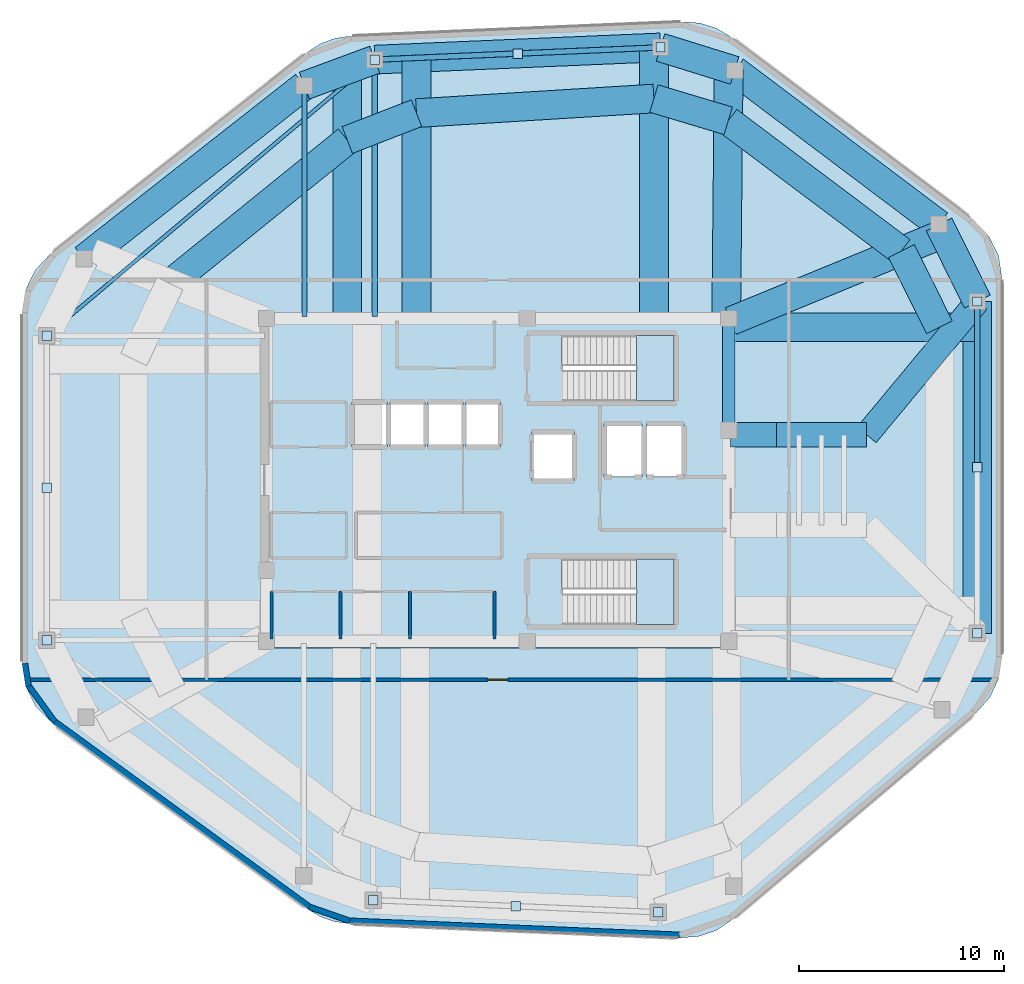
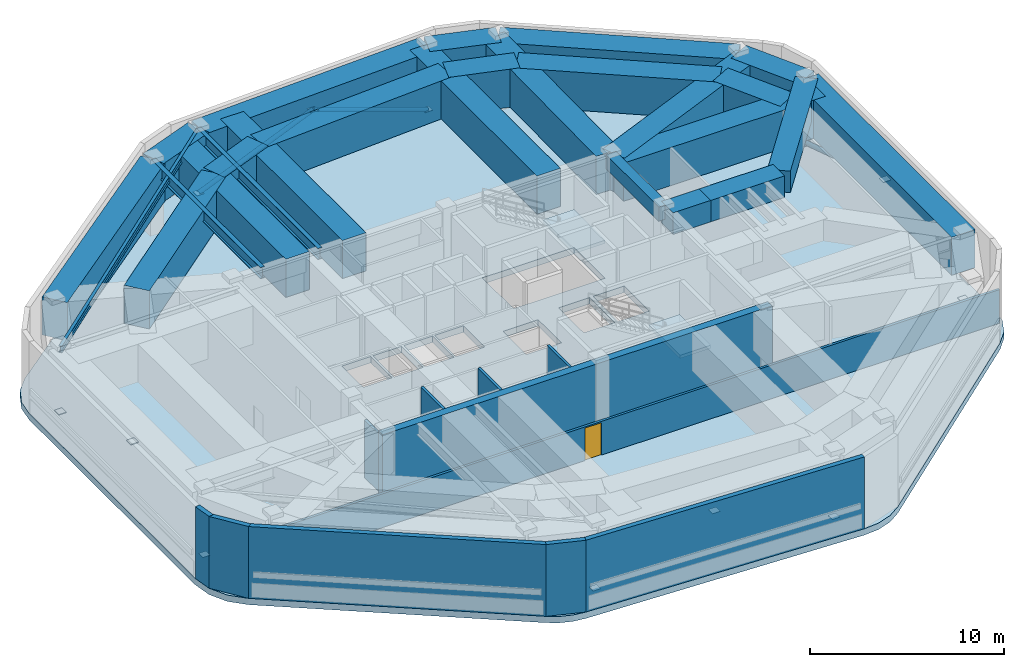
# One storey, part 2 of 7: 26 beams, 12 plates, 11 walls, 3 members, 3 slabs, 1 door, 1 opening, 2 elements without a shape of their own.
"""IFC4 building model written with IfcOpenShell, lengths in metres."""

from ifc_helpers import new_model, si_unit, direction, frame, frame_2d, origin, origin_2d, place, context, subcontext, project, spatial, polyline, rectangle, hollow_circle, i_section, outline, extrude, material, layer, layer_set, material_profile, profile_set, type_object, element, fill, aggregate, save


model = new_model("IFC4")

# Units and contexts
model_context = context("Model", 3, precision=1e-05, world=origin(), true_north=direction((0.0, 1.0)))
body_context = subcontext(model_context, "Body", "Model", "MODEL_VIEW")
ifc_project = project(units=[si_unit("LENGTHUNIT", "METRE"), si_unit("AREAUNIT", "SQUARE_METRE"), si_unit("VOLUMEUNIT", "CUBIC_METRE"), si_unit("PLANEANGLEUNIT", "RADIAN"), si_unit("MASSUNIT", "GRAM", prefix="KILO")], contexts=[model_context])

# Site, building, storey
site_placement = place(None, origin())
site = spatial("IfcSite", under=ifc_project, at=site_placement, CompositionType="ELEMENT")
building_placement = place(site_placement, origin())
building = spatial("IfcBuilding", under=site, at=building_placement, Name="Zulverin Broadcast Headquarters", CompositionType="ELEMENT")
storey_placement = place(building_placement, frame((0.0, 0.0, 308.60009765625)))
storey = spatial("IfcBuildingStorey", under=building, at=storey_placement, Name="L79", CompositionType="ELEMENT", Elevation=308.60009765625)

# Beams
ifc_material_1 = material(Name="Concrete C60/75", Category="concrete")
ifc_material_profile_1 = material_profile(ifc_material_1, rectangle(XDim=0.60009765625, YDim=0.89990234375, at=origin_2d()), Name="Concrete C60/75", Category="concrete")
ifc_profile_set_1 = profile_set([ifc_material_profile_1], Name="Concrete C60/75")
beam_type_1 = type_object("IfcBeamType", Name="BM-CB-600x900", PredefinedType="LINTEL", material=ifc_profile_set_1)
beam_1_placement = place(storey_placement, frame((48.27490234375, 27.6201171875, 4.06982421875), z_axis=(0.0, 1.0, 0.0), x_axis=(-1.0, 0.0, 0.0)))
element("IfcBeam", 1, at=beam_1_placement, inside=storey, type_object=beam_type_1, Name="L79 Core Coupling Girder K04-K05", PredefinedType="LINTEL", context=body_context, shape_type="SweptSolid", body=[
    extrude(rectangle(XDim=0.60009765625, YDim=0.89990234375, at=origin_2d()), origin(), (0.0, 0.0, 1.0), 5.454833984375),
])
ifc_material_profile_2 = material_profile(ifc_material_1, rectangle(XDim=1.39990234375, YDim=2.39990234375, at=origin_2d()), Name="Concrete C60/75", Category="concrete")
ifc_profile_set_2 = profile_set([ifc_material_profile_2], Name="Concrete C60/75")
beam_type_2 = type_object("IfcBeamType", Name="BM-TG-1400x2400", PredefinedType="USERDEFINED", material=ifc_profile_set_2)
beam_2_placement = place(storey_placement, frame((60.39990234375, 17.713623046875, 3.31982421875), z_axis=(0.0, 1.0, 0.0), x_axis=(-1.0, 0.0, 0.0)))
element("IfcBeam", 2, at=beam_2_placement, inside=storey, type_object=beam_type_2, Name="L79 Perimeter Transfer Ring Girder SP-05", ObjectType="TRANSFER GIRDER", PredefinedType="USERDEFINED", context=body_context, shape_type="SweptSolid", body=[
    extrude(rectangle(XDim=1.39990234375, YDim=2.39990234375, at=origin_2d()), origin(), (0.0, 0.0, 1.0), 16.189453125),
])
beam_3_placement = place(storey_placement, frame((60.39990234375, 33.903076171875, 3.31982421875), z_axis=(-0.446190250792, 0.894938131995, 0.0), x_axis=(-0.894938131995, -0.446190250792, 0.0)))
element("IfcBeam", 3, at=beam_3_placement, inside=storey, type_object=beam_type_2, Name="L79 Perimeter Transfer Ring Girder SP-06", ObjectType="TRANSFER GIRDER", PredefinedType="USERDEFINED", context=body_context, shape_type="SweptSolid", body=[
    extrude(rectangle(XDim=1.39990234375, YDim=2.39990234375, at=origin_2d()), origin(), (0.0, 0.0, 1.0), 4.199951171875),
])
beam_4_placement = place(storey_placement, frame((58.52587890625, 37.661865234375, 3.31982421875), z_axis=(-0.798626958847, 0.60182637081, 0.0), x_axis=(-0.60182637081, -0.798626958847, 0.0)))
element("IfcBeam", 4, at=beam_4_placement, inside=storey, type_object=beam_type_2, Name="L79 Perimeter Transfer Ring Girder SP-07", ObjectType="TRANSFER GIRDER", PredefinedType="USERDEFINED", context=body_context, shape_type="SweptSolid", body=[
    extrude(rectangle(XDim=1.39990234375, YDim=2.39990234375, at=origin_2d()), origin(), (0.0, 0.0, 1.0), 12.47998046875),
])
beam_5_placement = place(storey_placement, frame((48.55908203125, 45.172607421875, 3.31982421875), z_axis=(-0.954893359596, 0.296948938033, 0.0), x_axis=(-0.296948938033, -0.954893359596, 0.0)))
element("IfcBeam", 5, at=beam_5_placement, inside=storey, type_object=beam_type_2, Name="L79 Perimeter Transfer Ring Girder SP-08", ObjectType="TRANSFER GIRDER", PredefinedType="USERDEFINED", context=body_context, shape_type="SweptSolid", body=[
    extrude(rectangle(XDim=1.39990234375, YDim=2.39990234375, at=origin_2d()), origin(), (0.0, 0.0, 1.0), 3.78515625),
])
beam_6_placement = place(storey_placement, frame((44.944580078125, 46.296630859375, 3.31982421875), z_axis=(-0.999084926695, -0.042770424958, 0.0), x_axis=(0.042770424958, -0.999084926695, 0.0)))
element("IfcBeam", 6, at=beam_6_placement, inside=storey, type_object=beam_type_2, Name="L79 Perimeter Transfer Ring Girder SP-09", ObjectType="TRANSFER GIRDER", PredefinedType="USERDEFINED", context=body_context, shape_type="SweptSolid", body=[
    extrude(rectangle(XDim=1.39990234375, YDim=2.39990234375, at=origin_2d()), origin(), (0.0, 0.0, 1.0), 13.95068359375),
])
beam_7_placement = place(storey_placement, frame((31.006591796875, 45.699951171875, 3.31982421875), z_axis=(-0.937860540342, -0.347012401607, 0.0), x_axis=(0.347012401607, -0.937860540342, 0.0)))
element("IfcBeam", 7, at=beam_7_placement, inside=storey, type_object=beam_type_2, Name="L79 Perimeter Transfer Ring Girder SP-10", ObjectType="TRANSFER GIRDER", PredefinedType="USERDEFINED", context=body_context, shape_type="SweptSolid", body=[
    extrude(rectangle(XDim=1.39990234375, YDim=2.39990234375, at=origin_2d()), origin(), (0.0, 0.0, 1.0), 3.66064453125),
])
beam_8_placement = place(storey_placement, frame((27.573486328125, 44.4296875, 3.31982421875), z_axis=(-0.786388352061, -0.617732433779, 0.0), x_axis=(0.617732433779, -0.786388352061, 0.0)))
element("IfcBeam", 8, at=beam_8_placement, inside=storey, type_object=beam_type_2, Name="L79 Perimeter Transfer Ring Girder SP-11", ObjectType="TRANSFER GIRDER", PredefinedType="USERDEFINED", context=body_context, shape_type="SweptSolid", body=[
    extrude(rectangle(XDim=1.39990234375, YDim=2.39990234375, at=origin_2d()), origin(), (0.0, 0.0, 1.0), 13.67236328125),
])
beam_9_placement = place(storey_placement, frame((48.375, 32.648193359375, 3.31982421875), z_axis=(1.0, 0.0, 0.0), x_axis=(0.0, 1.0, 0.0)))
element("IfcBeam", 9, at=beam_9_placement, inside=storey, type_object=beam_type_2, Name="C1 Step Transfer Girder TG-06", ObjectType="TRANSFER GIRDER", PredefinedType="USERDEFINED", context=body_context, shape_type="SweptSolid", body=[
    extrude(rectangle(XDim=1.39990234375, YDim=2.39990234375, at=origin_2d()), origin(), (0.0, 0.0, 1.0), 12.02490234375),
])
beam_10_placement = place(storey_placement, frame((58.550048828125, 32.648193359375, 3.31982421875), z_axis=(-0.446767242371, 0.894650228382, 0.0), x_axis=(-0.894650228382, -0.446767242371, 0.0)))
element("IfcBeam", 10, at=beam_10_placement, inside=storey, type_object=beam_type_2, Name="C1 Step Transfer Ring Girder TGR-06", ObjectType="TRANSFER GIRDER", PredefinedType="USERDEFINED", context=body_context, shape_type="SweptSolid", body=[
    extrude(rectangle(XDim=1.39990234375, YDim=2.39990234375, at=origin_2d()), origin(), (0.0, 0.0, 1.0), 4.157470703125),
])
beam_11_placement = place(storey_placement, frame((48.375, 32.949951171875, 3.31982421875), z_axis=(0.924960934202, 0.380062192543, 0.0), x_axis=(-0.380062192543, 0.924960934202, 0.0)))
element("IfcBeam", 11, at=beam_11_placement, inside=storey, type_object=beam_type_2, Name="C1 Step Transfer Girder TG-07", ObjectType="TRANSFER GIRDER", PredefinedType="USERDEFINED", context=body_context, shape_type="SweptSolid", body=[
    extrude(rectangle(XDim=1.39990234375, YDim=2.39990234375, at=origin_2d()), origin(), (0.0, 0.0, 1.0), 11.21630859375),
])
beam_12_placement = place(storey_placement, frame((56.692626953125, 36.36767578125, 3.31982421875), z_axis=(-0.799353528712, 0.600860995684, 0.0), x_axis=(-0.600860995684, -0.799353528712, 0.0)))
element("IfcBeam", 12, at=beam_12_placement, inside=storey, type_object=beam_type_2, Name="C1 Step Transfer Ring Girder TGR-07", ObjectType="TRANSFER GIRDER", PredefinedType="USERDEFINED", context=body_context, shape_type="SweptSolid", body=[
    extrude(rectangle(XDim=1.39990234375, YDim=2.39990234375, at=origin_2d()), origin(), (0.0, 0.0, 1.0), 10.566650390625),
])
beam_13_placement = place(storey_placement, frame((48.14990234375, 33.175048828125, 3.31982421875), z_axis=(0.010058471506, 0.999949412296, 0.0), x_axis=(-0.999949412296, 0.010058471506, 0.0)))
element("IfcBeam", 13, at=beam_13_placement, inside=storey, type_object=beam_type_2, Name="C1 Step Transfer Girder TG-08", ObjectType="TRANSFER GIRDER", PredefinedType="USERDEFINED", context=body_context, shape_type="SweptSolid", body=[
    extrude(rectangle(XDim=1.39990234375, YDim=2.39990234375, at=origin_2d()), origin(), (0.0, 0.0, 1.0), 12.087646484375),
])
beam_14_placement = place(storey_placement, frame((48.24609375, 42.716796875, 3.31982421875), z_axis=(-0.957806746648, 0.287413006102, 0.0), x_axis=(-0.287413006102, -0.957806746648, 0.0)))
element("IfcBeam", 14, at=beam_14_placement, inside=storey, type_object=beam_type_2, Name="C1 Step Transfer Ring Girder TGR-08", ObjectType="TRANSFER GIRDER", PredefinedType="USERDEFINED", context=body_context, shape_type="SweptSolid", body=[
    extrude(rectangle(XDim=1.39990234375, YDim=2.39990234375, at=origin_2d()), origin(), (0.0, 0.0, 1.0), 3.783447265625),
])
beam_15_placement = place(storey_placement, frame((44.622314453125, 33.175048828125, 3.31982421875), z_axis=(0.0, 1.0, 0.0), x_axis=(-1.0, 0.0, 0.0)))
element("IfcBeam", 15, at=beam_15_placement, inside=storey, type_object=beam_type_2, Name="C1 Step Transfer Girder TG-09", ObjectType="TRANSFER GIRDER", PredefinedType="USERDEFINED", context=body_context, shape_type="SweptSolid", body=[
    extrude(rectangle(XDim=1.39990234375, YDim=2.39990234375, at=origin_2d()), origin(), (0.0, 0.0, 1.0), 13.10791015625),
])
beam_16_placement = place(storey_placement, frame((44.622314453125, 43.80419921875, 3.31982421875), z_axis=(-0.998101715352, -0.061587058792, 0.0), x_axis=(0.061587058792, -0.998101715352, 0.0)))
element("IfcBeam", 16, at=beam_16_placement, inside=storey, type_object=beam_type_2, Name="C1 Step Transfer Ring Girder TGR-09", ObjectType="TRANSFER GIRDER", PredefinedType="USERDEFINED", context=body_context, shape_type="SweptSolid", body=[
    extrude(rectangle(XDim=1.39990234375, YDim=2.39990234375, at=origin_2d()), origin(), (0.0, 0.0, 1.0), 11.60302734375),
])
beam_17_placement = place(storey_placement, frame((33.041259765625, 33.175048828125, 3.31982421875), z_axis=(0.0, 1.0, 0.0), x_axis=(-1.0, 0.0, 0.0)))
element("IfcBeam", 17, at=beam_17_placement, inside=storey, type_object=beam_type_2, Name="C1 Step Transfer Girder TG-10", ObjectType="TRANSFER GIRDER", PredefinedType="USERDEFINED", context=body_context, shape_type="SweptSolid", body=[
    extrude(rectangle(XDim=1.39990234375, YDim=2.39990234375, at=origin_2d()), origin(), (0.0, 0.0, 1.0), 12.612060546875),
])
beam_18_placement = place(storey_placement, frame((33.041259765625, 43.089599609375, 3.31982421875), z_axis=(-0.931976838329, -0.362517824138, 0.0), x_axis=(0.362517824138, -0.931976838329, 0.0)))
element("IfcBeam", 18, at=beam_18_placement, inside=storey, type_object=beam_type_2, Name="C1 Step Transfer Ring Girder TGR-10", ObjectType="TRANSFER GIRDER", PredefinedType="USERDEFINED", context=body_context, shape_type="SweptSolid", body=[
    extrude(rectangle(XDim=1.39990234375, YDim=2.39990234375, at=origin_2d()), origin(), (0.0, 0.0, 1.0), 3.621826171875),
])
beam_19_placement = place(storey_placement, frame((29.665771484375, 33.175048828125, 3.31982421875), z_axis=(0.0, 1.0, 0.0), x_axis=(-1.0, 0.0, 0.0)))
element("IfcBeam", 19, at=beam_19_placement, inside=storey, type_object=beam_type_2, Name="C1 Step Transfer Girder TG-11", ObjectType="TRANSFER GIRDER", PredefinedType="USERDEFINED", context=body_context, shape_type="SweptSolid", body=[
    extrude(rectangle(XDim=1.39990234375, YDim=2.39990234375, at=origin_2d()), origin(), (0.0, 0.0, 1.0), 12.02880859375),
])
beam_20_placement = place(storey_placement, frame((29.665771484375, 41.776611328125, 3.31982421875), z_axis=(-0.777322523018, -0.62910229312, 0.0), x_axis=(0.62910229312, -0.777322523018, 0.0)))
element("IfcBeam", 20, at=beam_20_placement, inside=storey, type_object=beam_type_2, Name="C1 Step Transfer Ring Girder TGR-11", ObjectType="TRANSFER GIRDER", PredefinedType="USERDEFINED", context=body_context, shape_type="SweptSolid", body=[
    extrude(rectangle(XDim=1.39990234375, YDim=2.39990234375, at=origin_2d()), origin(), (0.0, 0.0, 1.0), 11.128173828125),
])
ifc_material_2 = material(Name="Concrete C50/60", Category="concrete")
ifc_material_profile_3 = material_profile(ifc_material_2, rectangle(XDim=1.199951171875, YDim=1.35009765625, at=origin_2d()), Name="Concrete C50/60", Category="concrete")
ifc_profile_set_3 = profile_set([ifc_material_profile_3], Name="Concrete C50/60")
beam_type_3 = type_object("IfcBeamType", Name="BM-TG-CRN-1350", PredefinedType="USERDEFINED", material=ifc_profile_set_3)
beam_21_placement = place(storey_placement, frame((48.35009765625, 27.39990234375, 3.844970703125), z_axis=(1.0, 0.0, 0.0), x_axis=(0.0, 1.0, 0.0)))
element("IfcBeam", 21, at=beam_21_placement, inside=storey, type_object=beam_type_3, Name="C1 Damper Base Transfer Girder In 2", ObjectType="TRANSFER GIRDER", PredefinedType="USERDEFINED", context=body_context, shape_type="SweptSolid", body=[
    extrude(rectangle(XDim=1.199951171875, YDim=1.35009765625, at=origin_2d()), origin(), (0.0, 0.0, 1.0), 2.25),
])
beam_22_placement = place(storey_placement, frame((50.60009765625, 27.39990234375, 3.844970703125), z_axis=(1.0, 0.0, 0.0), x_axis=(0.0, 1.0, 0.0)))
element("IfcBeam", 22, at=beam_22_placement, inside=storey, type_object=beam_type_3, Name="C1 Damper Base Transfer Girder Mid 2", ObjectType="TRANSFER GIRDER", PredefinedType="USERDEFINED", context=body_context, shape_type="SweptSolid", body=[
    extrude(rectangle(XDim=1.199951171875, YDim=1.35009765625, at=origin_2d()), origin(), (0.0, 0.0, 1.0), 4.39990234375),
])
beam_23_placement = place(storey_placement, frame((55.0, 27.39990234375, 3.844970703125), z_axis=(0.638828282664, 0.7693493519, 0.0), x_axis=(-0.7693493519, 0.638828282664, 0.0)))
element("IfcBeam", 23, at=beam_23_placement, inside=storey, type_object=beam_type_3, Name="C1 Damper Base Transfer Girder Out 2", ObjectType="TRANSFER GIRDER", PredefinedType="USERDEFINED", context=body_context, shape_type="SweptSolid", body=[
    extrude(rectangle(XDim=1.199951171875, YDim=1.35009765625, at=origin_2d()), origin(), (0.0, 0.0, 1.0), 8.452880859375),
])
ifc_material_3 = material(Name="Structural steel S355JR", Category="steel")
ifc_material_profile_4 = material_profile(ifc_material_3, i_section(OverallWidth=0.179443359375, OverallDepth=0.412841796875, WebThickness=0.009521484375, FlangeThickness=0.01611328125, at=origin_2d()), Name="Structural steel S355JR", Category="steel")
ifc_profile_set_4 = profile_set([ifc_material_profile_4], Name="Structural steel S355JR")
beam_type_4 = type_object("IfcBeamType", Name="BM-UB-406", PredefinedType="JOIST", material=ifc_profile_set_4)
beam_24_placement = place(storey_placement, frame((31.006591796875, 45.699951171875, 4.3134765625), z_axis=(-0.765273089862, -0.643705754156, 0.0), x_axis=(0.643705754156, -0.765273089862, 0.0)))
element("IfcBeam", 24, at=beam_24_placement, inside=storey, type_object=beam_type_4, Name="L79 Chordal Floor Joist J-03", PredefinedType="JOIST", context=body_context, shape_type="SweptSolid", body=[
    extrude(i_section(OverallWidth=0.179443359375, OverallDepth=0.412841796875, WebThickness=0.009521484375, FlangeThickness=0.01611328125, at=origin_2d()), origin(), (0.0, 0.0, 1.0), 20.916259765625),
])
ifc_material_profile_5 = material_profile(ifc_material_3, i_section(OverallWidth=0.255859375, OverallDepth=0.69287109375, WebThickness=0.014404296875, FlangeThickness=0.023681640625, at=origin_2d()), Name="Structural steel S355JR", Category="steel")
ifc_profile_set_5 = profile_set([ifc_material_profile_5], Name="Structural steel S355JR")
beam_type_5 = type_object("IfcBeamType", Name="BM-UB-686", PredefinedType="BEAM", material=ifc_profile_set_5)
beam_25_placement = place(storey_placement, frame((31.006591796875, 33.175048828125, 4.173583984375), z_axis=(0.0, 1.0, 0.0), x_axis=(-1.0, 0.0, 0.0)))
element("IfcBeam", 25, at=beam_25_placement, inside=storey, type_object=beam_type_5, Name="L79 Radial Primary Floor Beam RB-10", PredefinedType="BEAM", context=body_context, shape_type="SweptSolid", body=[
    extrude(i_section(OverallWidth=0.255859375, OverallDepth=0.69287109375, WebThickness=0.014404296875, FlangeThickness=0.023681640625, at=origin_2d()), origin(), (0.0, 0.0, 1.0), 12.52490234375),
])
beam_26_placement = place(storey_placement, frame((27.573486328125, 33.175048828125, 4.173583984375), z_axis=(0.0, 1.0, 0.0), x_axis=(-1.0, 0.0, 0.0)))
element("IfcBeam", 26, at=beam_26_placement, inside=storey, type_object=beam_type_5, Name="L79 Radial Primary Floor Beam RB-11", PredefinedType="BEAM", context=body_context, shape_type="SweptSolid", body=[
    extrude(i_section(OverallWidth=0.255859375, OverallDepth=0.69287109375, WebThickness=0.014404296875, FlangeThickness=0.023681640625, at=origin_2d()), origin(), (0.0, 0.0, 1.0), 11.254638671875),
])

# Members
ifc_material_profile_6 = material_profile(ifc_material_3, hollow_circle(Radius=0.136474609375, WallThickness=0.012451171875, at=origin_2d()), Name="Structural steel S355JR", Category="steel")
ifc_profile_set_6 = profile_set([ifc_material_profile_6], Name="Structural steel S355JR")
member_type = type_object("IfcMemberType", Name="MBR-CRN-BRACE", PredefinedType="BRACE", material=ifc_profile_set_6)
member_placement = place(storey_placement, frame((60.39990234375, 33.903076171875, 0.39990234375), z_axis=(0.0, -0.951401995461, 0.307951689446), x_axis=(1.0, 0.0, 0.0)))
element("IfcMember", 27, at=member_placement, inside=storey, type_object=member_type, Name="L79 Crown Belt Brace CB-2B", PredefinedType="BRACE", context=body_context, shape_type="SweptSolid", body=[
    extrude(hollow_circle(Radius=0.136474609375, WallThickness=0.012451171875, at=origin_2d()), origin(), (0.0, 0.0, 1.0), 8.50830078125),
])
for number, where, z_axis, x_axis, name in (
    (28, (44.944580078125, 46.296630859375, 0.39990234375), (-0.935280436874, -0.040038980342, 0.351635300352), (0.042770424958, -0.999084926695, 0.0), "L79 Crown Belt Brace CB-3A"),
    (29, (31.006591796875, 45.699951171875, 0.39990234375), (0.935280436874, 0.040038980342, 0.351635300352), (-0.042770424958, 0.999084926695, 0.0), "L79 Crown Belt Brace CB-3B"),
):
    element("IfcMember", number, at=place(storey_placement, frame(where, z_axis=z_axis, x_axis=x_axis)), inside=storey, type_object=member_type, Name=name, PredefinedType="BRACE", context=body_context, shape_type="SweptSolid", body=[
        extrude(hollow_circle(Radius=0.136474609375, WallThickness=0.012451171875, at=origin_2d()), origin(), (0.0, 0.0, 1.0), 7.451171875),
    ])

# Plates
ifc_layer_1 = layer(ifc_material_3, 0.034912109375, Name="Structural steel S355JR", Category="steel")
ifc_layer_set_1 = layer_set([ifc_layer_1], Name="Structural steel S355JR")
plate_type = type_object("IfcPlateType", Name="PLT-NODE-BN2", PredefinedType="SHEET", material=ifc_layer_set_1)
for number, where, z_axis, x_axis, name in (
    (30, (30.93359375, 4.703125, 0.38232421875), (0.0, 0.0, 1.0), (1.0, 0.0, 0.0), "BN-2 Crown Belt Node Plate 1L"),
    (31, (37.880126953125, 4.40576171875, 3.00244140625), (0.0, 0.0, 1.0), (1.0, 0.0, 0.0), "BN-2 Crown Belt Node Plate 1M"),
    (32, (44.826904296875, 4.1083984375, 0.38232421875), (0.0, 0.0, 1.0), (1.0, 0.0, 0.0), "BN-2 Crown Belt Node Plate 1R"),
    (33, (60.39990234375, 17.713623046875, 0.38232421875), (0.0, 0.0, 1.0), (1.0, 0.0, 0.0), "BN-2 Crown Belt Node Plate 2L"),
    (34, (60.39990234375, 25.808349609375, 3.00244140625), (0.0, 0.0, 1.0), (1.0, 0.0, 0.0), "BN-2 Crown Belt Node Plate 2M"),
    (35, (60.39990234375, 33.903076171875, 0.38232421875), (0.0, 0.0, 1.0), (1.0, 0.0, 0.0), "BN-2 Crown Belt Node Plate 2R"),
    (36, (44.944580078125, 46.296630859375, 0.38232421875), (0.0, 0.0, 1.0), (1.0, 0.0, 0.0), "BN-2 Crown Belt Node Plate 3L"),
    (37, (37.9755859375, 45.998291015625, 3.00244140625), (0.0, 0.0, 1.0), (1.0, 0.0, 0.0), "BN-2 Crown Belt Node Plate 3M"),
    (38, (31.006591796875, 45.699951171875, 0.38232421875), (0.0, 0.0, 1.0), (1.0, 0.0, 0.0), "BN-2 Crown Belt Node Plate 3R"),
    (39, (15.0, 32.236083984375, 0.38232421875), (0.0, 0.0, 1.0), (1.0, 0.0, 0.0), "BN-2 Crown Belt Node Plate 4L"),
    (40, (15.0, 24.8095703125, 3.00244140625), (0.0, 0.0, 1.0), (1.0, 0.0, 0.0), "BN-2 Crown Belt Node Plate 4M"),
    (41, (15.0, 17.383056640625, 0.38232421875), (0.0, 0.0, 1.0), (1.0, 0.0, 0.0), "BN-2 Crown Belt Node Plate 4R"),
):
    element("IfcPlate", number, at=place(storey_placement, frame(where, z_axis=z_axis, x_axis=x_axis)), inside=storey, type_object=plate_type, Name=name, PredefinedType="SHEET", context=body_context, shape_type="SweptSolid", body=[
        extrude(rectangle(XDim=0.4599609375, YDim=0.4599609375, at=origin_2d()), origin(), (0.0, 0.0, 1.0), 0.034912109375),
    ])

# Stair, slab
ifc_material_4 = material(Name="Concrete C40/50", Category="concrete")
stair_type = type_object("IfcStairType", Name="ST-CORE-1500", PredefinedType="HALF_TURN_STAIR", material=ifc_material_4)
stair_1_placement = place(storey_placement, origin())
stair_1 = element("IfcStair", 42, at=stair_1_placement, inside=storey, type_object=stair_type, Name="L79 Core Exit Stair ST-1", PredefinedType="HALF_TURN_STAIR")
ifc_layer_2 = layer(ifc_material_4, 0.199951171875, Name="Concrete C40/50", Category="concrete")
ifc_layer_set_2 = layer_set([ifc_layer_2], Name="Concrete C40/50")
slab_type_1 = type_object("IfcSlabType", Name="SLB-ST-LND200", PredefinedType="LANDING", material=ifc_layer_set_2)
slab_1_placement = place(storey_placement, frame((0.0, 0.0, 2.199951171875)))
slab_1 = element("IfcSlab", 43, at=slab_1_placement, type_object=slab_type_1, Name="ST-1 landing 1", PredefinedType="LANDING", context=body_context, shape_type="SweptSolid", body=[
    extrude(outline(polyline([(43.77001953125, 29.050048828125), (45.60009765625, 29.050048828125), (45.60009765625, 32.25), (43.77001953125, 32.25), (43.77001953125, 29.050048828125)])), origin(), (0.0, 0.0, 1.0), 0.199951171875),
])
aggregate(stair_1, [slab_1])

stair_2_placement = place(storey_placement, origin())
stair_2 = element("IfcStair", 44, at=stair_2_placement, inside=storey, type_object=stair_type, Name="L79 Core Exit Stair ST-2", PredefinedType="HALF_TURN_STAIR")
slab_2_placement = place(storey_placement, frame((0.0, 0.0, 2.199951171875)))
slab_2 = element("IfcSlab", 45, at=slab_2_placement, type_object=slab_type_1, Name="ST-2 landing 1", PredefinedType="LANDING", context=body_context, shape_type="SweptSolid", body=[
    extrude(outline(polyline([(43.77001953125, 18.14990234375), (45.60009765625, 18.14990234375), (45.60009765625, 21.35009765625), (43.77001953125, 21.35009765625), (43.77001953125, 18.14990234375)])), origin(), (0.0, 0.0, 1.0), 0.199951171875),
])
aggregate(stair_2, [slab_2])

# Slab
ifc_layer_3 = layer(ifc_material_2, 0.39990234375, Name="Concrete C50/60", Category="concrete")
ifc_layer_set_3 = layer_set([ifc_layer_3], Name="Concrete C50/60")
slab_type_2 = type_object("IfcSlabType", Name="SLB-TRN-400", PredefinedType="FLOOR", material=ifc_layer_set_3)
slab_3_placement = place(storey_placement, frame((0.0, 0.0, -0.400146484375)))
element("IfcSlab", 46, at=slab_3_placement, inside=storey, type_object=slab_type_2, Name="L79 Main Structural Floor Slab", PredefinedType="FLOOR", context=body_context, shape_type="SweptSolid", body=[
    extrude(outline(polyline([(27.76953125, 4.239013671875), (28.375, 3.88330078125), (29.0380859375, 3.65185546875), (29.733154296875, 3.553466796875), (45.924560546875, 2.8603515625), (46.814453125, 2.93310546875), (47.6591796875, 3.222412109375), (48.406494140625, 3.7109375), (60.327880859375, 13.817626953125), (61.014404296875, 14.595703125), (61.450439453125, 15.537109375), (61.60009765625, 16.563720703125), (61.60009765625, 35.052978515625), (61.43017578125, 36.1455078125), (60.93701171875, 37.135009765625), (60.16650390625, 37.92822265625), (48.36279296875, 46.822998046875), (47.652099609375, 47.24072265625), (46.86474609375, 47.485595703125), (46.042236328125, 47.544921875), (29.80615234375, 46.849609375), (29.06787109375, 46.740478515625), (28.367919921875, 46.481689453125), (27.736328125, 46.083740234375), (15.176025390625, 36.217041015625), (14.435546875, 35.428466796875), (13.96240234375, 34.45556640625), (13.800048828125, 33.385986328125), (13.800048828125, 16.233154296875), (13.97607421875, 15.12109375), (14.48681640625, 14.1181640625), (15.282470703125, 13.32177734375), (27.76953125, 4.239013671875)]), holes=[polyline([(40.155029296875, 30.75), (40.130126953125, 30.75), (40.130126953125, 32.25), (45.60009765625, 32.25), (45.60009765625, 29.050048828125), (40.155029296875, 29.050048828125), (40.155029296875, 30.75)]), polyline([(40.155029296875, 19.85009765625), (40.130126953125, 19.85009765625), (40.130126953125, 21.35009765625), (45.60009765625, 21.35009765625), (45.60009765625, 18.14990234375), (40.155029296875, 18.14990234375), (40.155029296875, 19.85009765625)]), polyline([(29.89990234375, 26.800048828125), (31.6201171875, 26.800048828125), (31.6201171875, 29.0), (29.89990234375, 29.0), (29.89990234375, 26.800048828125)]), polyline([(31.739990234375, 26.800048828125), (33.4599609375, 26.800048828125), (33.4599609375, 29.0), (31.739990234375, 29.0), (31.739990234375, 26.800048828125)]), polyline([(33.580078125, 26.800048828125), (35.300048828125, 26.800048828125), (35.300048828125, 29.0), (33.580078125, 29.0), (33.580078125, 26.800048828125)]), polyline([(35.419921875, 26.800048828125), (37.139892578125, 26.800048828125), (37.139892578125, 29.0), (35.419921875, 29.0), (35.419921875, 26.800048828125)]), polyline([(42.199951171875, 25.35009765625), (44.050048828125, 25.35009765625), (44.050048828125, 27.949951171875), (42.199951171875, 27.949951171875), (42.199951171875, 25.35009765625)]), polyline([(44.25, 25.35009765625), (46.10009765625, 25.35009765625), (46.10009765625, 27.949951171875), (44.25, 27.949951171875), (44.25, 25.35009765625)]), polyline([(38.64990234375, 25.14990234375), (40.75, 25.14990234375), (40.75, 27.550048828125), (38.64990234375, 27.550048828125), (38.64990234375, 25.14990234375)])]), origin(), (0.0, 0.0, 1.0), 0.400146484375),
])

# Walls
ifc_layer_4 = layer(ifc_material_2, 0.449951171875, Name="Concrete C50/60", Category="concrete")
ifc_layer_set_4 = layer_set([ifc_layer_4], Name="Concrete C50/60")
wall_type_1 = type_object("IfcWallType", Name="WL-CORE-450", PredefinedType="SHEAR", material=ifc_layer_set_4)
wall_1_placement = place(storey_placement, frame((25.39990234375, 17.22509765625, 0.0), z_axis=(0.0, 0.0, 1.0), x_axis=(1.0, 0.0, 0.0)))
element("IfcWall", 47, at=wall_1_placement, inside=storey, type_object=wall_type_1, Name="L79 Core South Shear Wall", PredefinedType="SHEAR", context=body_context, shape_type="SweptSolid", body=[
    extrude(rectangle(XDim=23.2001953125, YDim=0.449951171875, at=frame_2d((11.60009765625, 0.0))), origin(), (0.0, 0.0, 1.0), 4.52001953125),
])
ifc_material_5 = material(Name="Insulated pale-metal clad concrete spandrel C40/50", Category="concrete")
ifc_layer_5 = layer(ifc_material_5, 0.280029296875, Name="Insulated pale-metal clad concrete spandrel C40/50", Category="concrete")
ifc_layer_set_5 = layer_set([ifc_layer_5], Name="Insulated pale-metal clad concrete spandrel C40/50")
wall_type_2 = type_object("IfcWallType", Name="WL-EXT-280", PredefinedType="STANDARD", material=ifc_layer_set_5)
wall_2_placement = place(storey_placement, frame((29.7392578125, 3.693359375, 0.0), z_axis=(0.0, 0.0, 1.0), x_axis=(0.99908501205, -0.04276843108, 0.0)))
element("IfcWall", 48, at=wall_2_placement, inside=storey, type_object=wall_type_2, Name="L79 Pale-Metal Clad Spandrel Wall 1", PredefinedType="STANDARD", context=body_context, shape_type="SweptSolid", body=[
    extrude(rectangle(XDim=16.206298828125, YDim=0.280029296875, at=frame_2d((8.10302734375, 0.0))), origin(), (0.0, 0.0, 1.0), 4.52001953125),
])
wall_3_placement = place(storey_placement, frame((15.36474609375, 13.434814453125, 0.0), z_axis=(0.0, 0.0, 1.0), x_axis=(0.8087025807, -0.588217762372, 0.0)))
element("IfcWall", 49, at=wall_3_placement, inside=storey, type_object=wall_type_2, Name="L79 Pale-Metal Clad Spandrel Wall 8", PredefinedType="STANDARD", context=body_context, shape_type="SweptSolid", body=[
    extrude(rectangle(XDim=15.441162109375, YDim=0.280029296875, at=frame_2d((7.720703125, 0.0))), origin(), (0.0, 0.0, 1.0), 4.52001953125),
])
wall_4_placement = place(storey_placement, frame((13.938232421875, 16.2548828125, 0.0), z_axis=(0.0, 0.0, 1.0), x_axis=(0.156374642871, -0.987697813639, 0.0)))
element("IfcWall", 50, at=wall_4_placement, inside=storey, type_object=wall_type_2, Name="L79 Wind-Shaped Corner Spandrel Wall 7-1", PredefinedType="STANDARD", context=body_context, shape_type="SweptSolid", body=[
    extrude(rectangle(XDim=1.125732421875, YDim=0.280029296875, at=frame_2d((0.56298828125, 0.0))), origin(), (0.0, 0.0, 1.0), 4.52001953125),
])
wall_5_placement = place(storey_placement, frame((14.08935546875, 15.203369140625, 0.0), z_axis=(0.0, 0.0, 1.0), x_axis=(0.587472992332, -0.809243772469, 0.0)))
element("IfcWall", 51, at=wall_5_placement, inside=storey, type_object=wall_type_2, Name="L79 Wind-Shaped Corner Spandrel Wall 7-2", PredefinedType="STANDARD", context=body_context, shape_type="SweptSolid", body=[
    extrude(rectangle(XDim=2.223876953125, YDim=0.280029296875, at=frame_2d((1.11181640625, 0.0))), origin(), (0.0, 0.0, 1.0), 4.52001953125),
])
wall_6_placement = place(storey_placement, frame((27.815673828125, 4.37109375, 0.0), z_axis=(0.0, 0.0, 1.0), x_axis=(0.944152627724, -0.329508445359, 0.0)))
element("IfcWall", 52, at=wall_6_placement, inside=storey, type_object=wall_type_2, Name="L79 Wind-Shaped Corner Spandrel Wall 8-1", PredefinedType="STANDARD", context=body_context, shape_type="SweptSolid", body=[
    extrude(rectangle(XDim=2.079833984375, YDim=0.280029296875, at=frame_2d((1.0400390625, 0.0))), origin(), (0.0, 0.0, 1.0), 4.52001953125),
])
ifc_material_6 = material(Name="Fire-rated gypsum stud partition", Category="gypsum")
ifc_layer_6 = layer(ifc_material_6, 0.14990234375, Name="Fire-rated gypsum stud partition", Category="gypsum")
ifc_layer_set_6 = layer_set([ifc_layer_6], Name="Fire-rated gypsum stud partition")
wall_type_3 = type_object("IfcWallType", Name="WL-PART-150", PredefinedType="PARTITIONING", material=ifc_layer_set_6)
wall_7_placement = place(storey_placement, frame((25.969970703125, 17.449951171875, 0.0), z_axis=(0.0, 0.0, 1.0), x_axis=(0.0, 1.0, 0.0)))
element("IfcWall", 53, at=wall_7_placement, inside=storey, type_object=wall_type_3, Name="L79 Core Male WC West Wall", PredefinedType="PARTITIONING", context=body_context, shape_type="SweptSolid", body=[
    extrude(rectangle(XDim=2.300048828125, YDim=0.14990234375, at=frame_2d((1.14990234375, 0.0))), origin(), (0.0, 0.0, 1.0), 3.619873046875),
])
for number, where, z_axis, x_axis, name in (
    (54, (29.330078125, 17.449951171875, 0.0), (0.0, 0.0, 1.0), (0.0, 1.0, 0.0), "L79 Core Female WC West Wall"),
    (55, (32.72998046875, 17.449951171875, 0.0), (0.0, 0.0, 1.0), (0.0, 1.0, 0.0), "L79 Core Cleaner Store West Wall"),
    (56, (36.85009765625, 17.449951171875, 0.0), (0.0, 0.0, 1.0), (0.0, 1.0, 0.0), "L79 Core Cleaner Store East Wall"),
):
    element("IfcWall", number, at=place(storey_placement, frame(where, z_axis=z_axis, x_axis=x_axis)), inside=storey, type_object=wall_type_3, Name=name, PredefinedType="PARTITIONING", context=body_context, shape_type="SweptSolid", body=[
        extrude(rectangle(XDim=2.300048828125, YDim=0.14990234375, at=frame_2d((1.14990234375, 0.0))), origin(), (0.0, 0.0, 1.0), 4.52001953125),
    ])

# Wall, opening, door
wall_8_placement = place(storey_placement, frame((14.12890625, 15.449951171875, 0.0), z_axis=(0.0, 0.0, 1.0), x_axis=(1.0, 0.0, 0.0)))
wall_8 = element("IfcWall", 57, at=wall_8_placement, inside=storey, type_object=wall_type_3, Name="L79 Gallery Partition Wall CG-03", PredefinedType="PARTITIONING", context=body_context, shape_type="SweptSolid", body=[
    extrude(rectangle(XDim=47.076171875, YDim=0.14990234375, at=frame_2d((23.5380859375, 0.0))), origin(), (0.0, 0.0, 1.0), 2.119873046875),
])
opening_placement = place(wall_8_placement, frame((22.37109375, 0.0, 0.0)))
opening = element("IfcOpeningElement", 58, at=opening_placement, cuts=wall_8, Name="Opening D-L79-PUM", PredefinedType="OPENING", context=body_context, shape_type="SweptSolid", body=[
    extrude(rectangle(XDim=1.0, YDim=2.0400390625, at=frame_2d((0.5, 1.02001953125))), frame((0.0, 0.0849609375, 0.0), z_axis=(0.0, -1.0, 0.0), x_axis=(1.0, 0.0, 0.0)), (0.0, 0.0, 1.0), 0.169921875),
])
ifc_material_7 = material(Name="Fire-rated steel plant room leaf", Category="steel")
door_type = type_object("IfcDoorType", Name="DR-PLT-2040", OperationType="SINGLE_SWING_LEFT", PredefinedType="DOOR", material=ifc_material_7)
door_placement = place(opening_placement, origin())
door = element("IfcDoor", 59, at=door_placement, inside=storey, type_object=door_type, Name="L79 Chilled Water & Fire Booster Pump Plant Room Door", OperationType="SINGLE_SWING_RIGHT", OverallHeight=2.0400390625, OverallWidth=1.0, PredefinedType="DOOR", context=body_context, shape_type="SweptSolid", body=[
    extrude(rectangle(XDim=1.0, YDim=2.0400390625, at=frame_2d((0.5, 1.02001953125))), frame((0.0, 0.02490234375, 0.0), z_axis=(0.0, -1.0, 0.0), x_axis=(1.0, 0.0, 0.0)), (0.0, 0.0, 1.0), 0.050048828125),
])
fill(opening, door)

save(model, "model.ifc")
